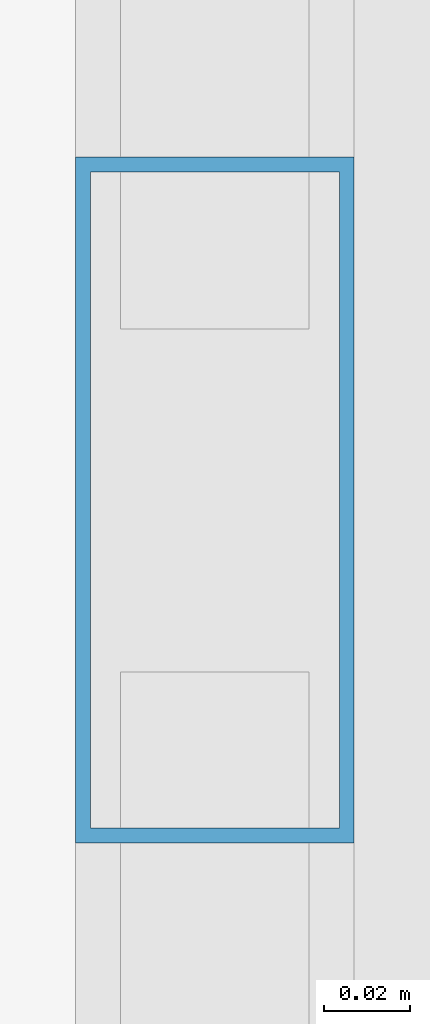
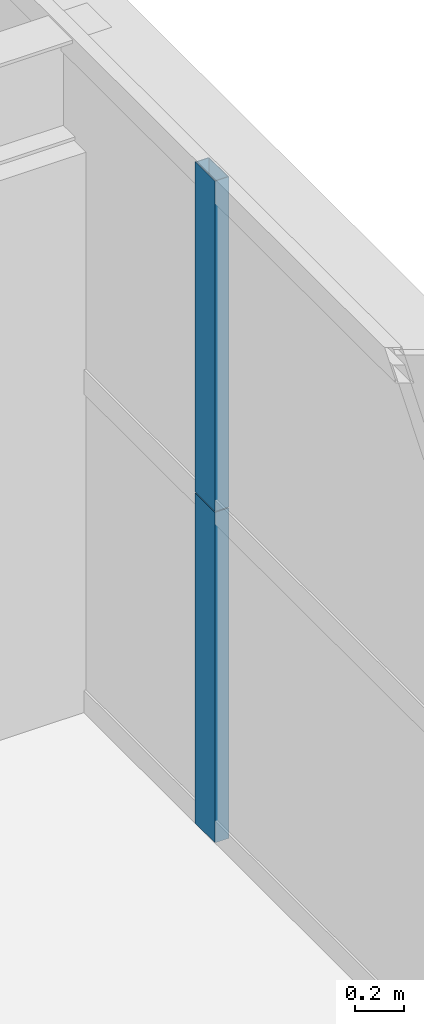
# One storey, part 24 of 45: 2 members, 1 element without a shape of its own.
"""IFC4 building model written with IfcOpenShell, lengths in metres."""

from ifc_helpers import new_model, si_unit, direction, frame, origin, origin_2d, place, context, subcontext, project, spatial, hollow_rectangle, extrude, source, transform, mapped, material, layer, layer_set, material_profile, profile_set, type_object, element, aggregate, save


model = new_model("IFC4")

# Units and contexts
model_context = context("Model", 3, precision=1e-05, world=origin(), true_north=direction((0.0, 1.0)))
body_context = subcontext(model_context, "Body", "Model", "MODEL_VIEW")
ifc_project = project(units=[si_unit("LENGTHUNIT", "METRE"), si_unit("AREAUNIT", "SQUARE_METRE"), si_unit("VOLUMEUNIT", "CUBIC_METRE"), si_unit("PLANEANGLEUNIT", "RADIAN"), si_unit("MASSUNIT", "GRAM", prefix="KILO"), si_unit("THERMODYNAMICTEMPERATUREUNIT", "KELVIN"), si_unit("POWERUNIT", "WATT")], contexts=[model_context])

# Site, building, storey
site_placement = place(None, origin())
site = spatial("IfcSite", under=ifc_project, at=site_placement, CompositionType="ELEMENT")
building_placement = place(site_placement, origin())
building = spatial("IfcBuilding", under=site, at=building_placement, Name="Yuzanri Waterfront Tower", CompositionType="ELEMENT")
storey_placement = place(building_placement, frame((0.0, 0.0, 212.5)))
storey = spatial("IfcBuildingStorey", under=building, at=storey_placement, Name="L56", CompositionType="ELEMENT", Elevation=212.5)

# Curtain wall, members
ifc_material_1 = material(Name="Anodized Architectural Bronze", Category="metal")
ifc_layer = layer(ifc_material_1, 0.159912109375)
ifc_layer_set = layer_set([ifc_layer], Name="Anodized Architectural Bronze")
curtain_wall_type = type_object("IfcCurtainWallType", Name="Anodized Bronze Mid-Rise Residential Acoustic Unitized Curtain Wall 7200", PredefinedType="NOTDEFINED", material=ifc_layer_set)
curtain_wall_placement = place(storey_placement, origin())
curtain_wall = element("IfcCurtainWall", 1, at=curtain_wall_placement, inside=storey, type_object=curtain_wall_type, Name="L56 Curtain Wall CW-L56-EL", PredefinedType="NOTDEFINED")
ifc_material_2 = material(Name="Anodized Architectural Bronze", Category="metal")
ifc_material_profile = material_profile(ifc_material_2, hollow_rectangle(XDim=0.06494140625, YDim=0.159912109375, WallThickness=0.00341796875, at=origin_2d()), Name="CWM 65x160")
ifc_profile_set = profile_set([ifc_material_profile], Name="Anodized Architectural Bronze")
member_type = type_object("IfcMemberType", Name="Anodized Bronze Upper-Zone Curtain-Wall Mullion 65x160", PredefinedType="MULLION", material=ifc_profile_set)
shared_shape = source(origin(), body_context, "Body", "SweptSolid", [
    extrude(hollow_rectangle(XDim=0.06494140625, YDim=0.159912109375, WallThickness=0.00341796875, at=origin_2d()), origin(), (0.0, 0.0, 1.0), 1.637939453125),
])
member_1_placement = place(storey_placement, frame((58.949951171875, 18.22509765625, 0.0), z_axis=(0.0, 0.0, 1.0), x_axis=(1.0, 0.0, 0.0)))
member_1 = element("IfcMember", 2, at=member_1_placement, type_object=member_type, Name="CW-L56-EL Lower Mullion 01", PredefinedType="MULLION", context=body_context, shape_type="MappedRepresentation", body=[
    mapped(shared_shape, transform((0.0, 0.0, 0.0), scale=1.0)),
])
member_2_placement = place(storey_placement, frame((58.949951171875, 18.22509765625, 1.64208984375), z_axis=(0.0, 0.0, 1.0), x_axis=(1.0, 0.0, 0.0)))
member_2 = element("IfcMember", 3, at=member_2_placement, type_object=member_type, Name="CW-L56-EL Upper Mullion 01", PredefinedType="MULLION", context=body_context, shape_type="MappedRepresentation", body=[
    mapped(shared_shape, transform((0.0, 0.0, 0.0), scale=1.0)),
])
aggregate(curtain_wall, [member_1, member_2])

save(model, "model.ifc")
